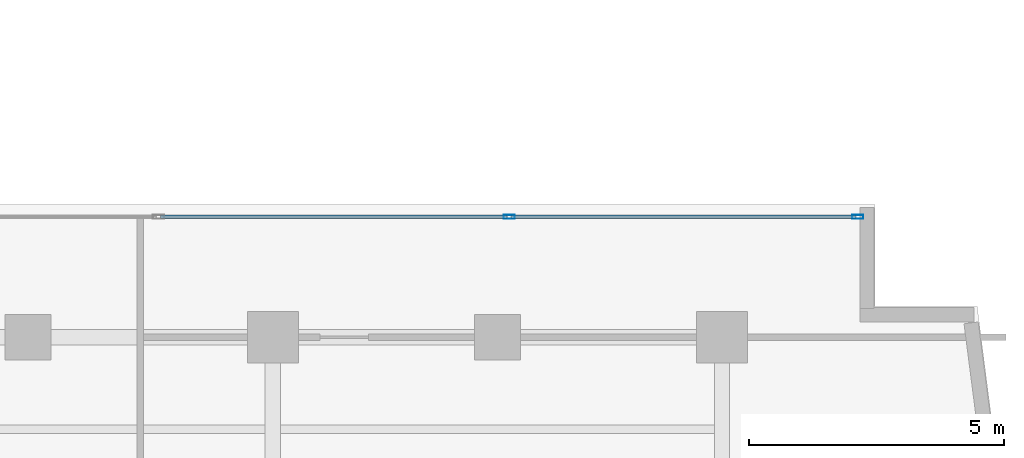
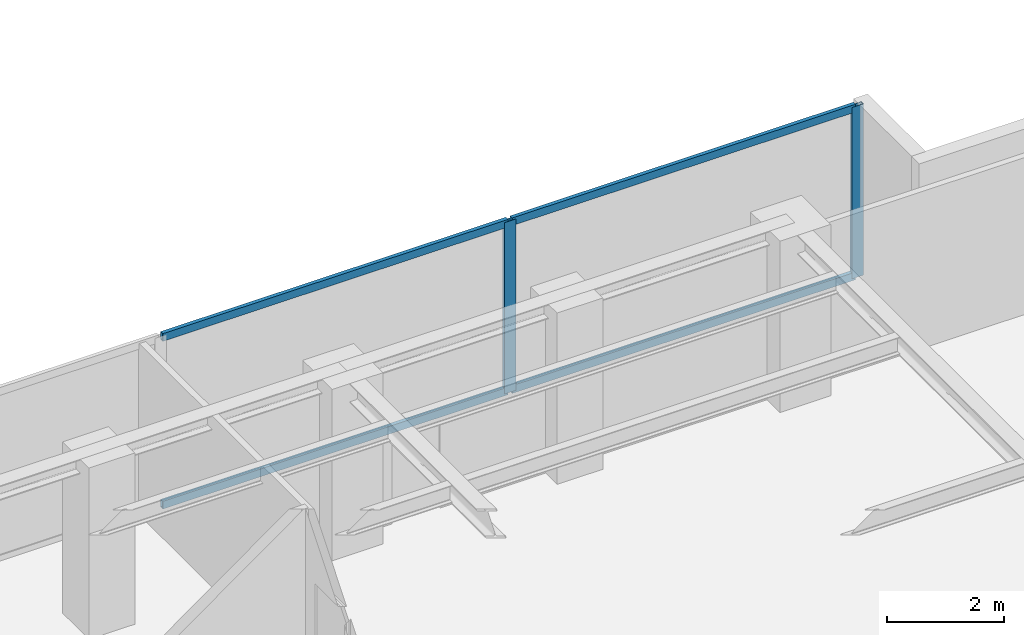
# One storey, part 12 of 23: 6 members, 1 element without a shape of its own.
"""IFC4 building model written with IfcOpenShell, lengths in metres."""

from ifc_helpers import new_model, si_unit, direction, frame, origin, origin_with_axes, origin_2d, place, context, subcontext, project, spatial, hollow_rectangle, extrude, source, transform, mapped, material, layer, layer_set, material_profile, profile_set, type_object, element, aggregate, save


model = new_model("IFC4")

# Units and contexts
model_context = context("Model", 3, precision=1e-05, world=origin(), true_north=direction((0.0, 1.0)))
body_context = subcontext(model_context, "Body", "Model", "MODEL_VIEW")
ifc_project = project(units=[si_unit("LENGTHUNIT", "METRE"), si_unit("AREAUNIT", "SQUARE_METRE"), si_unit("VOLUMEUNIT", "CUBIC_METRE"), si_unit("PLANEANGLEUNIT", "RADIAN"), si_unit("MASSUNIT", "GRAM", prefix="KILO")], contexts=[model_context])

# Site, building, storey
site_placement = place(None, origin())
site = spatial("IfcSite", under=ifc_project, at=site_placement, CompositionType="ELEMENT")
building_placement = place(site_placement, origin())
building = spatial("IfcBuilding", under=site, at=building_placement, Name="Kolvaren Waterfront Exchange", CompositionType="ELEMENT")
storey_placement = place(building_placement, frame((0.0, 0.0, 231.10009765625)))
storey = spatial("IfcBuildingStorey", under=building, at=storey_placement, Name="L59", CompositionType="ELEMENT", Elevation=231.10009765625)

# Curtain wall, members
ifc_material_1 = material(Name="Anodised bronze aluminium 6063-T6", Category="aluminium")
ifc_layer = layer(ifc_material_1, 0.219970703125, Name="Anodised bronze aluminium 6063-T6")
ifc_layer_set = layer_set([ifc_layer], Name="Anodised bronze aluminium 6063-T6")
curtain_wall_type = type_object("IfcCurtainWallType", Name="ARC-CW-SYS1", PredefinedType="USERDEFINED", material=ifc_layer_set)
curtain_wall_placement = place(storey_placement, origin())
curtain_wall = element("IfcCurtainWall", 1, at=curtain_wall_placement, inside=storey, type_object=curtain_wall_type, Name="L59 stick curtain wall CW1 (CW-L59-EN)", ObjectType="STICK CURTAIN WALL", PredefinedType="USERDEFINED")
ifc_material_2 = material(Name="Anodised aluminium 6063-T6", Category="aluminium")
ifc_material_profile_1 = material_profile(ifc_material_2, hollow_rectangle(XDim=0.080078125, YDim=0.219970703125, WallThickness=0.0048828125, at=origin_2d()), Name="ALU-MUL-220x80x5")
ifc_profile_set_1 = profile_set([ifc_material_profile_1], Name="Anodised aluminium 6063-T6")
member_type_1 = type_object("IfcMemberType", Name="ARC-CWM-220", PredefinedType="MULLION", material=ifc_profile_set_1)
shared_shape_1 = source(origin_with_axes(), body_context, "Body", "SweptSolid", [
    extrude(hollow_rectangle(XDim=0.080078125, YDim=0.219970703125, WallThickness=0.0048828125, at=origin_2d()), origin(), (0.0, 0.0, 1.0), 3.559814453125),
])
member_1_placement = place(storey_placement, frame((41.429931640625, 19.760009765625, 0.0), z_axis=(0.0, 0.0, 1.0), x_axis=(0.0, 1.0, 0.0)))
member_1 = element("IfcMember", 2, at=member_1_placement, type_object=member_type_1, Name="CW1 mullion 3", PredefinedType="MULLION", context=body_context, shape_type="MappedRepresentation", body=[
    mapped(shared_shape_1, transform((0.0, 0.0, 0.0), x_axis=(1.0, 0.0, 0.0), y_axis=(0.0, 1.0, 0.0), z_axis=(0.0, 0.0, 1.0), scale=1.0)),
])
member_2_placement = place(storey_placement, frame((48.260009765625, 19.760009765625, 0.0), z_axis=(0.0, 0.0, 1.0), x_axis=(0.0, 1.0, 0.0)))
member_2 = element("IfcMember", 3, at=member_2_placement, type_object=member_type_1, Name="CW1 mullion 4", PredefinedType="MULLION", context=body_context, shape_type="MappedRepresentation", body=[
    mapped(shared_shape_1, transform((0.0, 0.0, 0.0), x_axis=(1.0, 0.0, 0.0), y_axis=(0.0, 1.0, 0.0), z_axis=(0.0, 0.0, 1.0), scale=1.0)),
])
ifc_material_profile_2 = material_profile(ifc_material_2, hollow_rectangle(XDim=0.074951171875, YDim=0.159912109375, WallThickness=0.00439453125, at=origin_2d()), Name="ALU-TRN-160x75x4.5")
ifc_profile_set_2 = profile_set([ifc_material_profile_2], Name="Anodised aluminium 6063-T6")
member_type_2 = type_object("IfcMemberType", Name="ARC-CWT-160", PredefinedType="USERDEFINED", material=ifc_profile_set_2)
shared_shape_2 = source(origin_with_axes(), body_context, "Body", "SweptSolid", [
    extrude(hollow_rectangle(XDim=0.074951171875, YDim=0.159912109375, WallThickness=0.00439453125, at=origin_2d()), origin(), (0.0, 0.0, 1.0), 6.75),
])
member_3_placement = place(storey_placement, frame((41.469970703125, 19.760009765625, 0.037353515625), z_axis=(1.0, 0.0, 0.0), x_axis=(0.0, 1.0, 0.0)))
member_3 = element("IfcMember", 4, at=member_3_placement, type_object=member_type_2, Name="CW1 transom 3.1", ObjectType="TRANSOM", PredefinedType="USERDEFINED", context=body_context, shape_type="MappedRepresentation", body=[
    mapped(shared_shape_2, transform((0.0, 0.0, 0.0), x_axis=(1.0, 0.0, 0.0), y_axis=(0.0, 1.0, 0.0), z_axis=(0.0, 0.0, 1.0), scale=1.0)),
])
member_4_placement = place(storey_placement, frame((41.469970703125, 19.760009765625, 3.5224609375), z_axis=(1.0, 0.0, 0.0), x_axis=(0.0, 1.0, 0.0)))
member_4 = element("IfcMember", 5, at=member_4_placement, type_object=member_type_2, Name="CW1 transom 3.2", ObjectType="TRANSOM", PredefinedType="USERDEFINED", context=body_context, shape_type="MappedRepresentation", body=[
    mapped(shared_shape_2, transform((0.0, 0.0, 0.0), x_axis=(1.0, 0.0, 0.0), y_axis=(0.0, 1.0, 0.0), z_axis=(0.0, 0.0, 1.0), scale=1.0)),
])
shared_shape_3 = source(origin_with_axes(), body_context, "Body", "SweptSolid", [
    extrude(hollow_rectangle(XDim=0.074951171875, YDim=0.159912109375, WallThickness=0.00439453125, at=origin_2d()), origin(), (0.0, 0.0, 1.0), 6.789794921875),
])
member_5_placement = place(storey_placement, frame((34.60009765625, 19.760009765625, 0.037353515625), z_axis=(1.0, 0.0, 0.0), x_axis=(0.0, 1.0, 0.0)))
member_5 = element("IfcMember", 6, at=member_5_placement, type_object=member_type_2, Name="CW1 transom 2.1", ObjectType="TRANSOM", PredefinedType="USERDEFINED", context=body_context, shape_type="MappedRepresentation", body=[
    mapped(shared_shape_3, transform((0.0, 0.0, 0.0), x_axis=(1.0, 0.0, 0.0), y_axis=(0.0, 1.0, 0.0), z_axis=(0.0, 0.0, 1.0), scale=1.0)),
])
member_6_placement = place(storey_placement, frame((34.60009765625, 19.760009765625, 3.5224609375), z_axis=(1.0, 0.0, 0.0), x_axis=(0.0, 1.0, 0.0)))
member_6 = element("IfcMember", 7, at=member_6_placement, type_object=member_type_2, Name="CW1 transom 2.2", ObjectType="TRANSOM", PredefinedType="USERDEFINED", context=body_context, shape_type="MappedRepresentation", body=[
    mapped(shared_shape_3, transform((0.0, 0.0, 0.0), x_axis=(1.0, 0.0, 0.0), y_axis=(0.0, 1.0, 0.0), z_axis=(0.0, 0.0, 1.0), scale=1.0)),
])
aggregate(curtain_wall, [member_1, member_2, member_5, member_6, member_3, member_4])

save(model, "model.ifc")
